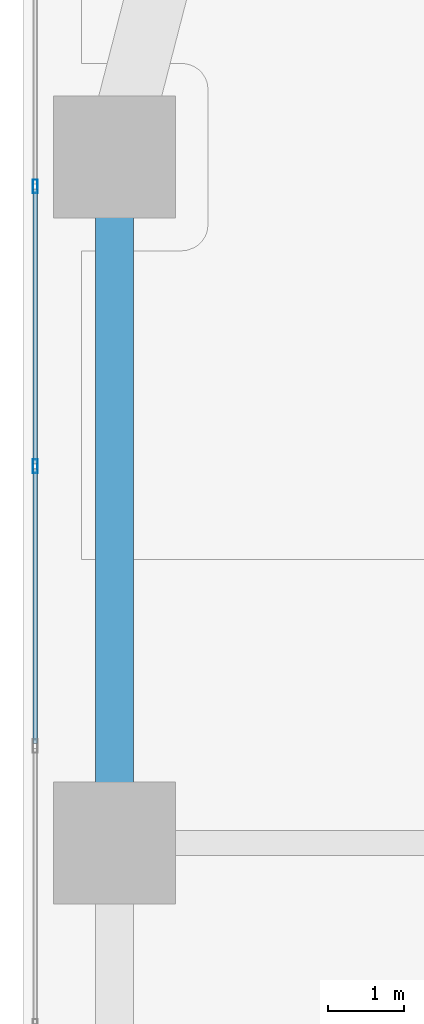
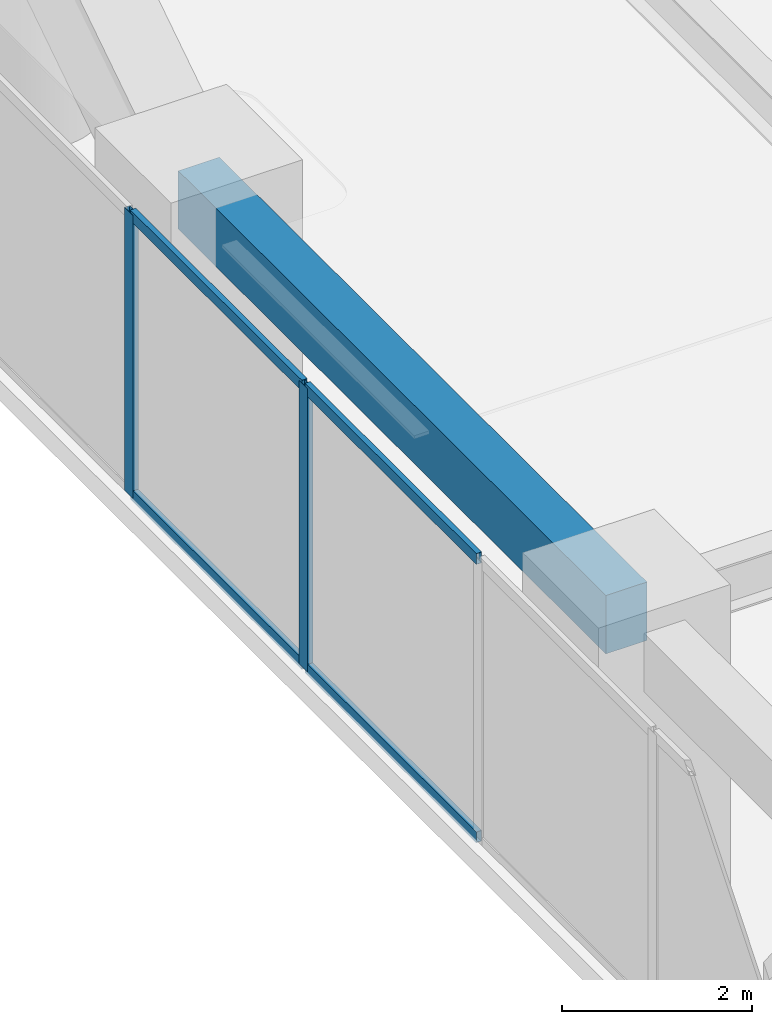
# One storey, part 9 of 24: 6 members, 1 beam, 1 element without a shape of its own.
"""IFC4 building model written with IfcOpenShell, lengths in metres."""

from ifc_helpers import new_model, si_unit, direction, frame, origin, origin_2d, place, context, subcontext, project, spatial, rectangle, hollow_rectangle, extrude, material, layer, layer_set, material_profile, profile_set, type_object, element, aggregate, save


model = new_model("IFC4")

# Units and contexts
model_context = context("Model", 3, precision=1e-05, world=origin(), true_north=direction((0.0, 1.0)))
body_context = subcontext(model_context, "Body", "Model", "MODEL_VIEW")
ifc_project = project(units=[si_unit("LENGTHUNIT", "METRE"), si_unit("AREAUNIT", "SQUARE_METRE"), si_unit("VOLUMEUNIT", "CUBIC_METRE"), si_unit("PLANEANGLEUNIT", "RADIAN"), si_unit("MASSUNIT", "GRAM", prefix="KILO")], contexts=[model_context])

# Site, building, storey
site_placement = place(None, origin())
site = spatial("IfcSite", under=ifc_project, at=site_placement, CompositionType="ELEMENT")
building_placement = place(site_placement, origin())
building = spatial("IfcBuilding", under=site, at=building_placement, Name="Kiyonajd Concourse Tower", CompositionType="ELEMENT")
storey_placement = place(building_placement, frame((0.0, 0.0, 85.800048828125)))
storey = spatial("IfcBuildingStorey", under=building, at=storey_placement, Name="L22", CompositionType="ELEMENT", Elevation=85.800048828125)

# Beam
ifc_material_1 = material(Name="Precast concrete C50/60", Category="concrete")
ifc_material_profile_1 = material_profile(ifc_material_1, rectangle(XDim=0.5, YDim=0.75, at=origin_2d()), Name="RCBM-500x750")
ifc_profile_set_1 = profile_set([ifc_material_profile_1], Name="Precast concrete C50/60")
beam_type = type_object("IfcBeamType", Name="BM-SPAN-RC", PredefinedType="SPANDREL", material=ifc_profile_set_1)
beam_placement = place(storey_placement, frame((19.199951171875, 53.39990234375, 3.264892578125), z_axis=(0.0, -1.0, 0.0), x_axis=(1.0, 0.0, 0.0)))
element("IfcBeam", 1, at=beam_placement, inside=storey, type_object=beam_type, Name="L22 Perimeter Bundled Tube Spandrel", PredefinedType="SPANDREL", context=body_context, shape_type="SweptSolid", body=[
    extrude(rectangle(XDim=0.5, YDim=0.75, at=origin_2d()), origin(), (0.0, 0.0, 1.0), 9.0),
])

# Curtain wall, members
ifc_material_2 = material(Name="Thermally Broken Anodised Aluminium", Category="aluminium")
ifc_layer = layer(ifc_material_2, 0.179931640625)
ifc_layer_set = layer_set([ifc_layer], Name="Thermally Broken Anodised Aluminium")
curtain_wall_type = type_object("IfcCurtainWallType", Name="CW-SYS-03", PredefinedType="NOTDEFINED", material=ifc_layer_set)
curtain_wall_placement = place(storey_placement, origin())
curtain_wall = element("IfcCurtainWall", 2, at=curtain_wall_placement, inside=storey, type_object=curtain_wall_type, Name="L22 Unitised Curtain Wall CW3", PredefinedType="NOTDEFINED")
ifc_material_profile_2 = material_profile(ifc_material_2, hollow_rectangle(XDim=0.06494140625, YDim=0.179931640625, WallThickness=0.00390625, at=origin_2d()), Name="MULL-65x180")
ifc_profile_set_2 = profile_set([ifc_material_profile_2], Name="Thermally Broken Anodised Aluminium")
member_type_1 = type_object("IfcMemberType", Name="MB-CW-MULL1", PredefinedType="MULLION", material=ifc_profile_set_2)
member_1_placement = place(storey_placement, frame((18.159912109375, 49.342529296875, 0.0), z_axis=(0.0, 0.0, 1.0), x_axis=(-1.0, 0.0, 0.0)))
member_1 = element("IfcMember", 3, at=member_1_placement, type_object=member_type_1, Name="CW3 mullion 5", PredefinedType="MULLION", context=body_context, shape_type="SweptSolid", body=[
    extrude(hollow_rectangle(XDim=0.06494140625, YDim=0.179931640625, WallThickness=0.00390625, at=origin_2d()), origin(), (0.0, 0.0, 1.0), 3.639892578125),
])
member_2_placement = place(storey_placement, frame((18.159912109375, 53.015869140625, 0.0), z_axis=(0.0, 0.0, 1.0), x_axis=(-1.0, 0.0, 0.0)))
member_2 = element("IfcMember", 4, at=member_2_placement, type_object=member_type_1, Name="CW3 mullion 6", PredefinedType="MULLION", context=body_context, shape_type="SweptSolid", body=[
    extrude(hollow_rectangle(XDim=0.06494140625, YDim=0.179931640625, WallThickness=0.00390625, at=origin_2d()), origin(), (0.0, 0.0, 1.0), 3.639892578125),
])
ifc_material_profile_3 = material_profile(ifc_material_2, hollow_rectangle(XDim=0.06494140625, YDim=0.139892578125, WallThickness=0.00390625, at=origin_2d()), Name="TRAN-65x140")
ifc_profile_set_3 = profile_set([ifc_material_profile_3], Name="Thermally Broken Anodised Aluminium")
member_type_2 = type_object("IfcMemberType", Name="MB-CW-TRAN1", PredefinedType="USERDEFINED", material=ifc_profile_set_3)
member_3_placement = place(storey_placement, frame((18.159912109375, 45.701904296875, 0.032470703125), z_axis=(0.0, 1.0, 0.0), x_axis=(-1.0, 0.0, 0.0)))
member_3 = element("IfcMember", 5, at=member_3_placement, type_object=member_type_2, Name="CW3 transom 4.1", ObjectType="TRANSOM", PredefinedType="USERDEFINED", context=body_context, shape_type="SweptSolid", body=[
    extrude(hollow_rectangle(XDim=0.06494140625, YDim=0.139892578125, WallThickness=0.00390625, at=origin_2d()), origin(), (0.0, 0.0, 1.0), 3.608154296875),
])
member_4_placement = place(storey_placement, frame((18.159912109375, 45.701904296875, 3.607421875), z_axis=(0.0, 1.0, 0.0), x_axis=(-1.0, 0.0, 0.0)))
member_4 = element("IfcMember", 6, at=member_4_placement, type_object=member_type_2, Name="CW3 transom 4.2", ObjectType="TRANSOM", PredefinedType="USERDEFINED", context=body_context, shape_type="SweptSolid", body=[
    extrude(hollow_rectangle(XDim=0.06494140625, YDim=0.139892578125, WallThickness=0.00390625, at=origin_2d()), origin(), (0.0, 0.0, 1.0), 3.608154296875),
])
member_5_placement = place(storey_placement, frame((18.159912109375, 49.375, 0.032470703125), z_axis=(0.0, 1.0, 0.0), x_axis=(-1.0, 0.0, 0.0)))
member_5 = element("IfcMember", 7, at=member_5_placement, type_object=member_type_2, Name="CW3 transom 5.1", ObjectType="TRANSOM", PredefinedType="USERDEFINED", context=body_context, shape_type="SweptSolid", body=[
    extrude(hollow_rectangle(XDim=0.06494140625, YDim=0.139892578125, WallThickness=0.00390625, at=origin_2d()), origin(), (0.0, 0.0, 1.0), 3.608154296875),
])
member_6_placement = place(storey_placement, frame((18.159912109375, 49.375, 3.607421875), z_axis=(0.0, 1.0, 0.0), x_axis=(-1.0, 0.0, 0.0)))
member_6 = element("IfcMember", 8, at=member_6_placement, type_object=member_type_2, Name="CW3 transom 5.2", ObjectType="TRANSOM", PredefinedType="USERDEFINED", context=body_context, shape_type="SweptSolid", body=[
    extrude(hollow_rectangle(XDim=0.06494140625, YDim=0.139892578125, WallThickness=0.00390625, at=origin_2d()), origin(), (0.0, 0.0, 1.0), 3.608154296875),
])
aggregate(curtain_wall, [member_1, member_2, member_3, member_4, member_5, member_6])

save(model, "model.ifc")
